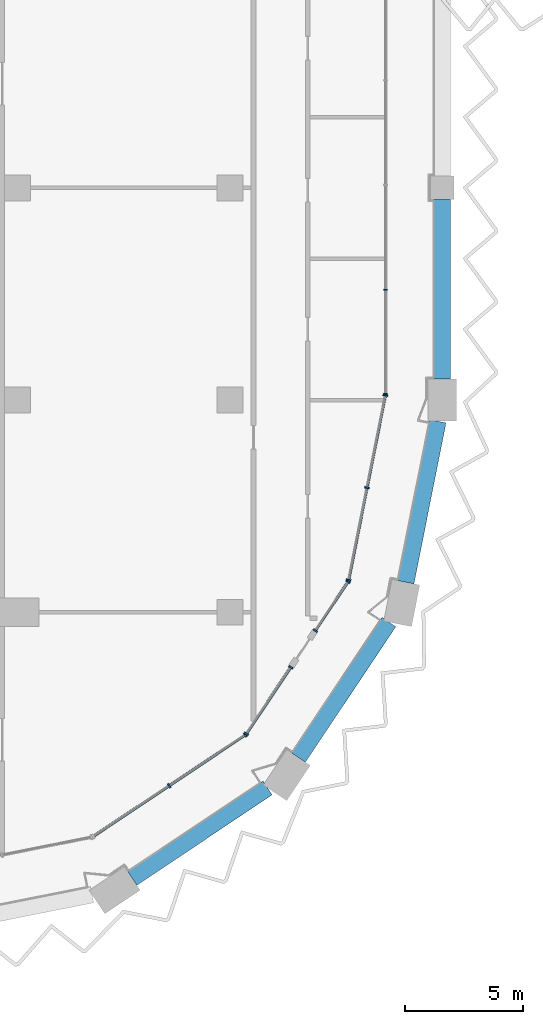
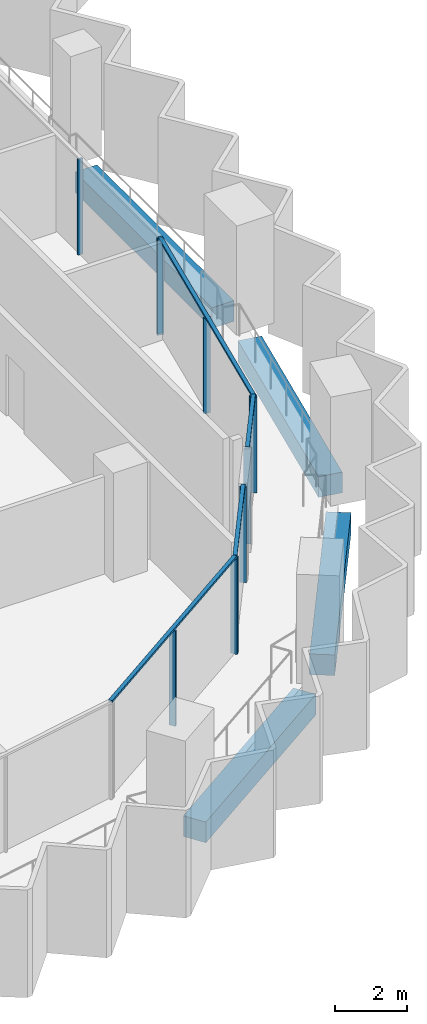
# One storey, part 3 of 17: 15 members, 4 beams, 5 elements without a shape of their own.
"""IFC4 building model written with IfcOpenShell, lengths in metres."""

from ifc_helpers import new_model, si_unit, direction, frame, origin, origin_2d, place, context, subcontext, project, spatial, rectangle, extrude, material, material_profile, profile_set, type_object, element, aggregate, save


model = new_model("IFC4")

# Units and contexts
model_context = context("Model", 3, precision=1e-05, world=origin(), true_north=direction((0.0, 1.0)))
body_context = subcontext(model_context, "Body", "Model", "MODEL_VIEW")
ifc_project = project(units=[si_unit("LENGTHUNIT", "METRE"), si_unit("AREAUNIT", "SQUARE_METRE"), si_unit("VOLUMEUNIT", "CUBIC_METRE"), si_unit("PLANEANGLEUNIT", "RADIAN"), si_unit("MASSUNIT", "GRAM", prefix="KILO")], contexts=[model_context])

# Site, building, storey
site_placement = place(None, origin())
site = spatial("IfcSite", under=ifc_project, at=site_placement, CompositionType="ELEMENT")
building_placement = place(site_placement, origin())
building = spatial("IfcBuilding", under=site, at=building_placement, Name="Hunhe Ridgeline Campus", CompositionType="ELEMENT")
storey_placement = place(building_placement, frame((0.0, 0.0, 201.300048828125)))
storey = spatial("IfcBuildingStorey", under=building, at=storey_placement, Name="L51", CompositionType="ELEMENT", Elevation=201.300048828125)

# Curtain wall, members
ifc_material_1 = material(Name="Aluminium 6063", Category="aluminium")
curtain_wall_type_1 = type_object("IfcCurtainWallType", Name="Curtain wall CW-1", PredefinedType="NOTDEFINED", material=ifc_material_1)
curtain_wall_1_placement = place(storey_placement, origin())
curtain_wall_1 = element("IfcCurtainWall", 1, at=curtain_wall_1_placement, inside=storey, type_object=curtain_wall_type_1, Name="Curtain wall 11", PredefinedType="NOTDEFINED")
ifc_material_profile_1 = material_profile(ifc_material_1, rectangle(XDim=0.159912109375, YDim=0.06005859375, at=origin_2d()))
ifc_profile_set_1 = profile_set([ifc_material_profile_1], Name="Aluminium 6063")
member_type_1 = type_object("IfcMemberType", Name="CW-1 aluminium mullion", PredefinedType="MULLION", material=ifc_profile_set_1)
member_1_placement = place(storey_placement, frame((42.59912109375, 36.266357421875, 0.0), z_axis=(0.0, 0.0, 1.0), x_axis=(-0.999999999978, 6.642653e-06, 0.0)))
member_1 = element("IfcMember", 2, at=member_1_placement, type_object=member_type_1, Name="CW-1 mullion 1", PredefinedType="MULLION", context=body_context, shape_type="SweptSolid", body=[
    extrude(rectangle(XDim=0.159912109375, YDim=0.06005859375, at=origin_2d()), origin(), (0.0, 0.0, 1.0), 3.239990234375),
])
member_2_placement = place(storey_placement, frame((42.59912109375, 40.677490234375, 0.0), z_axis=(0.0, 0.0, 1.0), x_axis=(-0.999999999978, 6.642653e-06, 0.0)))
member_2 = element("IfcMember", 3, at=member_2_placement, type_object=member_type_1, Name="CW-1 mullion 2", PredefinedType="MULLION", context=body_context, shape_type="SweptSolid", body=[
    extrude(rectangle(XDim=0.159912109375, YDim=0.06005859375, at=origin_2d()), origin(), (0.0, 0.0, 1.0), 3.239990234375),
])
aggregate(curtain_wall_1, [member_1, member_2])

curtain_wall_type_2 = type_object("IfcCurtainWallType", Name="Curtain wall CW-5", PredefinedType="NOTDEFINED", material=ifc_material_1)
curtain_wall_2_placement = place(storey_placement, origin())
curtain_wall_2 = element("IfcCurtainWall", 4, at=curtain_wall_2_placement, inside=storey, type_object=curtain_wall_type_2, Name="Curtain wall 07", PredefinedType="NOTDEFINED")
ifc_material_profile_2 = material_profile(ifc_material_1, rectangle(XDim=0.199951171875, YDim=0.070068359375, at=origin_2d()))
ifc_profile_set_2 = profile_set([ifc_material_profile_2], Name="Aluminium 6063")
member_type_2 = type_object("IfcMemberType", Name="CW-5 aluminium mullion", PredefinedType="MULLION", material=ifc_profile_set_2)
member_3_placement = place(storey_placement, frame((33.42626953125, 19.647705078125, 0.0), z_axis=(0.0, 0.0, 1.0), x_axis=(-0.555570274596, 0.831469584522, 0.0)))
member_3 = element("IfcMember", 5, at=member_3_placement, type_object=member_type_2, Name="CW-5 mullion 2", PredefinedType="MULLION", context=body_context, shape_type="SweptSolid", body=[
    extrude(rectangle(XDim=0.199951171875, YDim=0.070068359375, at=origin_2d()), origin(), (0.0, 0.0, 1.0), 3.22998046875),
])
member_4_placement = place(storey_placement, frame((36.649658203125, 21.8017578125, 0.0), z_axis=(0.0, 0.0, 1.0), x_axis=(-0.555570274596, 0.831469584522, 0.0)))
member_4 = element("IfcMember", 6, at=member_4_placement, type_object=member_type_2, Name="CW-5 mullion 3", PredefinedType="MULLION", context=body_context, shape_type="SweptSolid", body=[
    extrude(rectangle(XDim=0.199951171875, YDim=0.070068359375, at=origin_2d()), origin(), (0.0, 0.0, 1.0), 3.22998046875),
])

curtain_wall_3_placement = place(storey_placement, origin())
curtain_wall_3 = element("IfcCurtainWall", 7, at=curtain_wall_3_placement, inside=storey, type_object=curtain_wall_type_2, Name="Curtain wall 08", PredefinedType="NOTDEFINED")
member_5_placement = place(storey_placement, frame((36.6982421875, 21.850341796875, 0.0), z_axis=(0.0, 0.0, 1.0), x_axis=(-0.831469595944, 0.555570257501, 0.0)))
member_5 = element("IfcMember", 8, at=member_5_placement, type_object=member_type_2, Name="CW-5 mullion 1", PredefinedType="MULLION", context=body_context, shape_type="SweptSolid", body=[
    extrude(rectangle(XDim=0.199951171875, YDim=0.070068359375, at=origin_2d()), origin(), (0.0, 0.0, 1.0), 3.22998046875),
])
member_6_placement = place(storey_placement, frame((38.582763671875, 24.67041015625, 0.0), z_axis=(0.0, 0.0, 1.0), x_axis=(-0.831469595944, 0.555570257501, 0.0)))
member_6 = element("IfcMember", 9, at=member_6_placement, type_object=member_type_2, Name="CW-5 mullion 2", PredefinedType="MULLION", context=body_context, shape_type="SweptSolid", body=[
    extrude(rectangle(XDim=0.199951171875, YDim=0.070068359375, at=origin_2d()), origin(), (0.0, 0.0, 1.0), 3.22998046875),
])

curtain_wall_4_placement = place(storey_placement, origin())
curtain_wall_4 = element("IfcCurtainWall", 10, at=curtain_wall_4_placement, inside=storey, type_object=curtain_wall_type_2, Name="Curtain wall 09", PredefinedType="NOTDEFINED")
member_7_placement = place(storey_placement, frame((39.62158203125, 26.225341796875, 0.0), z_axis=(0.0, 0.0, 1.0), x_axis=(-0.831469510353, 0.555570385598, 0.0)))
member_7 = element("IfcMember", 11, at=member_7_placement, type_object=member_type_2, Name="CW-5 mullion 1", PredefinedType="MULLION", context=body_context, shape_type="SweptSolid", body=[
    extrude(rectangle(XDim=0.199951171875, YDim=0.070068359375, at=origin_2d()), origin(), (0.0, 0.0, 1.0), 3.22998046875),
])
member_8_placement = place(storey_placement, frame((41.006103515625, 28.29736328125, 0.0), z_axis=(0.0, 0.0, 1.0), x_axis=(-0.831469510353, 0.555570385598, 0.0)))
member_8 = element("IfcMember", 12, at=member_8_placement, type_object=member_type_2, Name="CW-5 mullion 2", PredefinedType="MULLION", context=body_context, shape_type="SweptSolid", body=[
    extrude(rectangle(XDim=0.199951171875, YDim=0.070068359375, at=origin_2d()), origin(), (0.0, 0.0, 1.0), 3.22998046875),
])

curtain_wall_5_placement = place(storey_placement, origin())
curtain_wall_5 = element("IfcCurtainWall", 13, at=curtain_wall_5_placement, inside=storey, type_object=curtain_wall_type_2, Name="Curtain wall 10", PredefinedType="NOTDEFINED")
member_9_placement = place(storey_placement, frame((41.032470703125, 28.36083984375, 0.0), z_axis=(0.0, 0.0, 1.0), x_axis=(-0.980785284939, 0.195090299215, 0.0)))
member_9 = element("IfcMember", 14, at=member_9_placement, type_object=member_type_2, Name="CW-5 mullion 1", PredefinedType="MULLION", context=body_context, shape_type="SweptSolid", body=[
    extrude(rectangle(XDim=0.199951171875, YDim=0.070068359375, at=origin_2d()), origin(), (0.0, 0.0, 1.0), 3.22998046875),
])
member_10_placement = place(storey_placement, frame((41.812255859375, 32.281494140625, 0.0), z_axis=(0.0, 0.0, 1.0), x_axis=(-0.980785284939, 0.195090299215, 0.0)))
member_10 = element("IfcMember", 15, at=member_10_placement, type_object=member_type_2, Name="CW-5 mullion 2", PredefinedType="MULLION", context=body_context, shape_type="SweptSolid", body=[
    extrude(rectangle(XDim=0.199951171875, YDim=0.070068359375, at=origin_2d()), origin(), (0.0, 0.0, 1.0), 3.22998046875),
])
member_11_placement = place(storey_placement, frame((42.59228515625, 36.2021484375, 0.0), z_axis=(0.0, 0.0, 1.0), x_axis=(-0.980785284939, 0.195090299215, 0.0)))
member_11 = element("IfcMember", 16, at=member_11_placement, type_object=member_type_2, Name="CW-5 mullion 3", PredefinedType="MULLION", context=body_context, shape_type="SweptSolid", body=[
    extrude(rectangle(XDim=0.199951171875, YDim=0.070068359375, at=origin_2d()), origin(), (0.0, 0.0, 1.0), 3.22998046875),
])

# Member
ifc_material_profile_3 = material_profile(ifc_material_1, rectangle(XDim=0.1201171875, YDim=0.070068359375, at=origin_2d()))
ifc_profile_set_3 = profile_set([ifc_material_profile_3], Name="Aluminium 6063")
member_type_3 = type_object("IfcMemberType", Name="CW-5 aluminium transom", PredefinedType="USERDEFINED", material=ifc_profile_set_3)
member_12_placement = place(storey_placement, frame((30.173583984375, 17.474365234375, 3.264892578125), z_axis=(0.831473763475, 0.5555640203, 0.0), x_axis=(-0.5555640203, 0.831473763475, 0.0)))
member_12 = element("IfcMember", 17, at=member_12_placement, type_object=member_type_3, Name="CW-5 transom 1", ObjectType="TRANSOM", PredefinedType="USERDEFINED", context=body_context, shape_type="SweptSolid", body=[
    extrude(rectangle(XDim=0.1201171875, YDim=0.070068359375, at=origin_2d()), origin(), (0.0, 0.0, 1.0), 7.823974609375),
])

aggregate(curtain_wall_2, [member_12, member_3, member_4])

member_13_placement = place(storey_placement, frame((36.678955078125, 21.821044921875, 3.264892578125), z_axis=(0.555546133463, 0.831485714606, 0.0), x_axis=(-0.831485714606, 0.555546133463, 0.0)))
member_13 = element("IfcMember", 18, at=member_13_placement, type_object=member_type_3, Name="CW-5 transom 1", ObjectType="TRANSOM", PredefinedType="USERDEFINED", context=body_context, shape_type="SweptSolid", body=[
    extrude(rectangle(XDim=0.1201171875, YDim=0.070068359375, at=origin_2d()), origin(), (0.0, 0.0, 1.0), 3.462158203125),
])

aggregate(curtain_wall_3, [member_13, member_5, member_6])

member_14_placement = place(storey_placement, frame((39.602294921875, 26.1962890625, 3.264892578125), z_axis=(0.555579547735, 0.831463388334, 0.0), x_axis=(-0.831463388334, 0.555579547735, 0.0)))
member_14 = element("IfcMember", 19, at=member_14_placement, type_object=member_type_3, Name="CW-5 transom 1", ObjectType="TRANSOM", PredefinedType="USERDEFINED", context=body_context, shape_type="SweptSolid", body=[
    extrude(rectangle(XDim=0.1201171875, YDim=0.070068359375, at=origin_2d()), origin(), (0.0, 0.0, 1.0), 2.56201171875),
])

aggregate(curtain_wall_4, [member_14, member_7, member_8])

member_15_placement = place(storey_placement, frame((41.025634765625, 28.326416015625, 3.264892578125), z_axis=(0.195097290093, 0.980783894341, 0.0), x_axis=(-0.980783894341, 0.195097290093, 0.0)))
member_15 = element("IfcMember", 20, at=member_15_placement, type_object=member_type_3, Name="CW-5 transom 1", ObjectType="TRANSOM", PredefinedType="USERDEFINED", context=body_context, shape_type="SweptSolid", body=[
    extrude(rectangle(XDim=0.1201171875, YDim=0.070068359375, at=origin_2d()), origin(), (0.0, 0.0, 1.0), 8.065185546875),
])

aggregate(curtain_wall_5, [member_15, member_9, member_10, member_11])

# Beams
ifc_material_2 = material(Name="Concrete C50", Category="concrete")
ifc_material_profile_4 = material_profile(ifc_material_2, rectangle(XDim=0.699951171875, YDim=0.699951171875, at=origin_2d()))
ifc_profile_set_4 = profile_set([ifc_material_profile_4], Name="Concrete C50")
beam_type = type_object("IfcBeamType", Name="RC spandrel beam 700x700 Concrete C50", PredefinedType="SPANDREL", material=ifc_profile_set_4)
for number, where, z_axis, x_axis, name in (
    (21, (31.858642578125, 15.712646484375, -0.60009765625), (0.831467796868, 0.55557295, 0.0), (-0.55557295, 0.831467796868, 0.0), "Spandrel beam B3-6 L51"),
    (22, (38.909912109375, 20.83837890625, -0.60009765625), (0.55557295, 0.831467796868, 0.0), (-0.831467796868, 0.55557295, 0.0), "Spandrel beam B3-7 L51"),
):
    element("IfcBeam", number, at=place(storey_placement, frame(where, z_axis=z_axis, x_axis=x_axis)), inside=storey, type_object=beam_type, Name=name, PredefinedType="SPANDREL", context=body_context, shape_type="SweptSolid", body=[
        extrude(rectangle(XDim=0.699951171875, YDim=0.699951171875, at=origin_2d()), origin(), (0.0, 0.0, 1.0), 6.905029296875),
    ])
beam_1_placement = place(storey_placement, frame((43.462890625, 28.272216796875, -0.60009765625), z_axis=(0.195090923217, 0.980785160817, 0.0), x_axis=(-0.980785160817, 0.195090923217, 0.0)))
element("IfcBeam", 23, at=beam_1_placement, inside=storey, type_object=beam_type, Name="Spandrel beam B3-8 L51", PredefinedType="SPANDREL", context=body_context, shape_type="SweptSolid", body=[
    extrude(rectangle(XDim=0.699951171875, YDim=0.699951171875, at=origin_2d()), origin(), (0.0, 0.0, 1.0), 6.961669921875),
])
beam_2_placement = place(storey_placement, frame((45.0, 36.89990234375, -0.60009765625), z_axis=(0.0, 1.0, 0.0), x_axis=(-1.0, 0.0, 0.0)))
element("IfcBeam", 24, at=beam_2_placement, inside=storey, type_object=beam_type, Name="Spandrel beam B3-9 L51", PredefinedType="SPANDREL", context=body_context, shape_type="SweptSolid", body=[
    extrude(rectangle(XDim=0.699951171875, YDim=0.699951171875, at=origin_2d()), origin(), (0.0, 0.0, 1.0), 7.60009765625),
])

save(model, "model.ifc")
